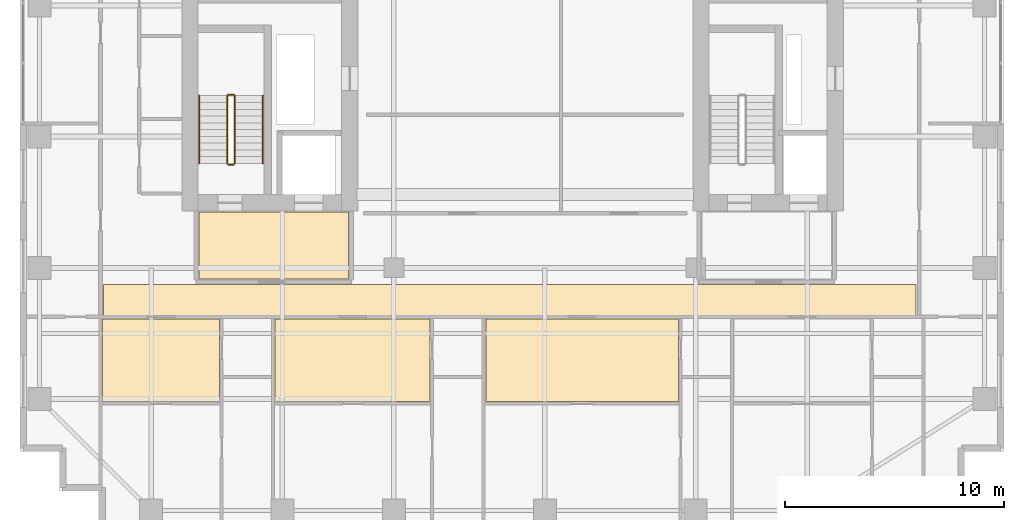
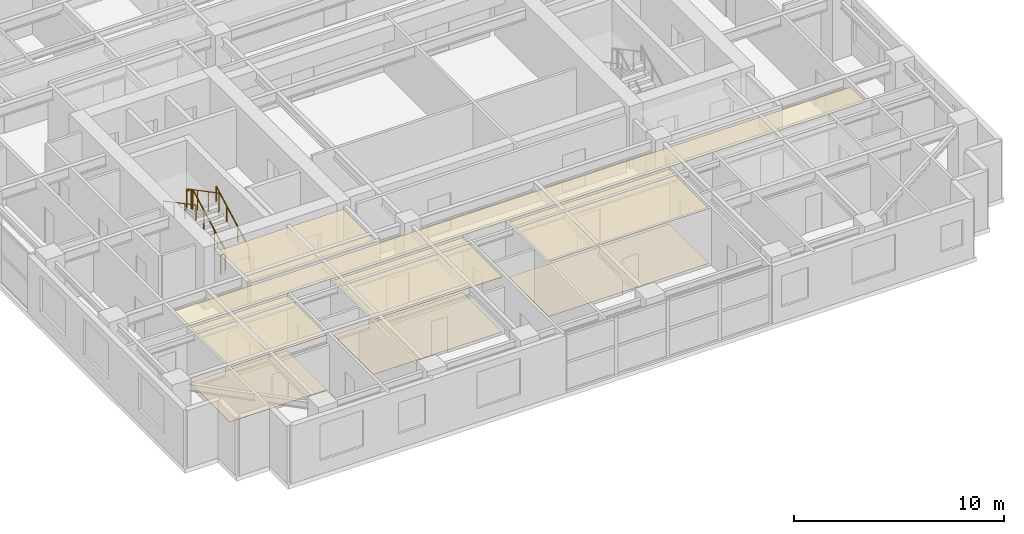
# One storey, part 17 of 20: 8 coverings, 6 railings.
"""IFC4 building model written with IfcOpenShell, lengths in metres."""

from ifc_helpers import new_model, si_unit, direction, frame, origin, origin_2d, place, context, subcontext, project, spatial, polyline, circle, outline, extrude, material, layer, layer_set, type_object, element, save


model = new_model("IFC4")

# Units and contexts
model_context = context("Model", 3, precision=1e-05, world=origin(), true_north=direction((0.0, 1.0)))
body_context = subcontext(model_context, "Body", "Model", "MODEL_VIEW")
ifc_project = project(units=[si_unit("LENGTHUNIT", "METRE"), si_unit("AREAUNIT", "SQUARE_METRE"), si_unit("VOLUMEUNIT", "CUBIC_METRE"), si_unit("PLANEANGLEUNIT", "RADIAN"), si_unit("MASSUNIT", "GRAM", prefix="KILO")], contexts=[model_context])

# Site, building, storey
site_placement = place(None, origin())
site = spatial("IfcSite", under=ifc_project, at=site_placement, CompositionType="ELEMENT")
building_placement = place(site_placement, origin())
building = spatial("IfcBuilding", under=site, at=building_placement, Name="Khoralis Quay Care Tower", CompositionType="ELEMENT")
storey_placement = place(building_placement, frame((0.0, 0.0, 116.10009765625)))
storey = spatial("IfcBuildingStorey", under=building, at=storey_placement, Name="L30", CompositionType="ELEMENT", Elevation=116.10009765625)

# Coverings
ifc_material_1 = material(Name="Mineral-fibre acoustic ceiling tile")
ifc_layer_1 = layer(ifc_material_1, 0.01806640625)
ifc_layer_set_1 = layer_set([ifc_layer_1], Name="Mineral-fibre acoustic ceiling tile")
covering_type_1 = type_object("IfcCoveringType", Name="COV-CEIL-AC18", PredefinedType="CEILING", material=ifc_layer_set_1)
covering_1_placement = place(storey_placement, frame((0.0, 0.0, 3.19189453125)))
element("IfcCovering", 1, at=covering_1_placement, inside=storey, type_object=covering_type_1, Name="Suspended Acoustic Ceiling SP-L30-FFLOB-W", PredefinedType="CEILING", context=body_context, shape_type="SweptSolid", body=[
    extrude(outline(polyline([(8.179931640625, 11.47998046875), (15.02001953125, 11.47998046875), (15.02001953125, 14.550048828125), (8.179931640625, 14.550048828125), (8.179931640625, 11.47998046875)])), origin(), (0.0, 0.0, 1.0), 0.01806640625),
])
covering_2_placement = place(storey_placement, frame((0.0, 0.0, 3.19189453125)))
element("IfcCovering", 2, at=covering_2_placement, inside=storey, type_object=covering_type_1, Name="Suspended Acoustic Ceiling SP-L30-CORR-S", PredefinedType="CEILING", context=body_context, shape_type="SweptSolid", body=[
    extrude(outline(polyline([(3.820068359375, 9.800048828125), (40.97998046875, 9.800048828125), (40.97998046875, 11.239990234375), (3.820068359375, 11.239990234375), (3.820068359375, 9.800048828125)])), origin(), (0.0, 0.0, 1.0), 0.01806640625),
])
covering_3_placement = place(storey_placement, frame((0.0, 0.0, 3.19189453125)))
element("IfcCovering", 3, at=covering_3_placement, inside=storey, type_object=covering_type_1, Name="Suspended Acoustic Ceiling SP-L30-SB-CARE0", PredefinedType="CEILING", context=body_context, shape_type="SweptSolid", body=[
    extrude(outline(polyline([(3.780029296875, 5.889892578125), (9.1201171875, 5.889892578125), (9.1201171875, 9.659912109375), (3.780029296875, 9.659912109375), (3.780029296875, 5.889892578125)])), origin(), (0.0, 0.0, 1.0), 0.01806640625),
])
covering_4_placement = place(storey_placement, frame((0.0, 0.0, 3.19189453125)))
element("IfcCovering", 4, at=covering_4_placement, inside=storey, type_object=covering_type_1, Name="Suspended Acoustic Ceiling SP-L30-SB-CARE1", PredefinedType="CEILING", context=body_context, shape_type="SweptSolid", body=[
    extrude(outline(polyline([(11.669921875, 5.889892578125), (18.75, 5.889892578125), (18.75, 9.659912109375), (11.669921875, 9.659912109375), (11.669921875, 5.889892578125)])), origin(), (0.0, 0.0, 1.0), 0.01806640625),
])
covering_5_placement = place(storey_placement, frame((0.0, 0.0, 3.19189453125)))
element("IfcCovering", 5, at=covering_5_placement, inside=storey, type_object=covering_type_1, Name="Suspended Acoustic Ceiling SP-L30-SB-CARE2", PredefinedType="CEILING", context=body_context, shape_type="SweptSolid", body=[
    extrude(outline(polyline([(21.300048828125, 5.889892578125), (30.110107421875, 5.889892578125), (30.110107421875, 9.659912109375), (21.300048828125, 9.659912109375), (21.300048828125, 5.889892578125)])), origin(), (0.0, 0.0, 1.0), 0.01806640625),
])
ifc_material_2 = material(Name="Porcelain and non-slip vinyl flooring")
ifc_layer_2 = layer(ifc_material_2, 0.02001953125)
ifc_layer_set_2 = layer_set([ifc_layer_2], Name="Porcelain and non-slip vinyl flooring")
covering_type_2 = type_object("IfcCoveringType", Name="COV-FLOOR-20", PredefinedType="FLOORING", material=ifc_layer_set_2)
covering_6_placement = place(storey_placement, origin())
element("IfcCovering", 6, at=covering_6_placement, inside=storey, type_object=covering_type_2, Name="Resilient Healthcare Flooring SP-L30-SB-CARE0", PredefinedType="FLOORING", context=body_context, shape_type="SweptSolid", body=[
    extrude(outline(polyline([(3.780029296875, 5.889892578125), (9.1201171875, 5.889892578125), (9.1201171875, 9.659912109375), (3.780029296875, 9.659912109375), (3.780029296875, 5.889892578125)])), origin(), (0.0, 0.0, 1.0), 0.02001953125),
])
covering_7_placement = place(storey_placement, origin())
element("IfcCovering", 7, at=covering_7_placement, inside=storey, type_object=covering_type_2, Name="Resilient Healthcare Flooring SP-L30-SB-CARE1", PredefinedType="FLOORING", context=body_context, shape_type="SweptSolid", body=[
    extrude(outline(polyline([(11.669921875, 5.889892578125), (18.75, 5.889892578125), (18.75, 9.659912109375), (11.669921875, 9.659912109375), (11.669921875, 5.889892578125)])), origin(), (0.0, 0.0, 1.0), 0.02001953125),
])
covering_8_placement = place(storey_placement, origin())
element("IfcCovering", 8, at=covering_8_placement, inside=storey, type_object=covering_type_2, Name="Resilient Healthcare Flooring SP-L30-SB-CARE2", PredefinedType="FLOORING", context=body_context, shape_type="SweptSolid", body=[
    extrude(outline(polyline([(21.300048828125, 5.889892578125), (30.110107421875, 5.889892578125), (30.110107421875, 9.659912109375), (21.300048828125, 9.659912109375), (21.300048828125, 5.889892578125)])), origin(), (0.0, 0.0, 1.0), 0.02001953125),
])

# Railings
ifc_material_3 = material(Name="Brushed stainless steel", Category="steel")
railing_type_1 = type_object("IfcRailingType", Name="RL-GUARD-1150", PredefinedType="GUARDRAIL", material=ifc_material_3)
railing_1_placement = place(storey_placement, frame((9.820068359375, 16.77001953125, 0.16357421875)))
element("IfcRailing", 9, at=railing_1_placement, inside=storey, type_object=railing_type_1, Name="L30 ST-T1 stair guard 1", PredefinedType="GUARDRAIL", context=body_context, shape_type="SweptSolid", body=[
    extrude(circle(Radius=0.02392578125, at=origin_2d()), frame((0.0, 0.0, 1.1259765625), z_axis=(0.0, 0.884376766648, 0.46677375099), x_axis=(-1.0, 0.0, 0.0)), (0.0, 0.0, 1.0), 3.50537109375),
    extrude(circle(Radius=0.02099609375, at=origin_2d()), origin(), (0.0, 0.0, 1.0), 1.101806640625),
    extrude(circle(Radius=0.02099609375, at=origin_2d()), frame((0.0, 1.033447265625, 0.54541015625)), (0.0, 0.0, 1.0), 1.101806640625),
    extrude(circle(Radius=0.02099609375, at=origin_2d()), frame((0.0, 2.066650390625, 1.0908203125)), (0.0, 0.0, 1.0), 1.101806640625),
    extrude(circle(Radius=0.02099609375, at=origin_2d()), frame((0.0, 3.10009765625, 1.63623046875)), (0.0, 0.0, 1.0), 1.101806640625),
])
railing_2_placement = place(storey_placement, frame((9.77001953125, 19.919921875, 1.7998046875)))
element("IfcRailing", 10, at=railing_2_placement, inside=storey, type_object=railing_type_1, Name="L30 ST-T1 stair guard 2", PredefinedType="GUARDRAIL", context=body_context, shape_type="SweptSolid", body=[
    extrude(circle(Radius=0.02392578125, at=origin_2d()), frame((0.0, 0.0, 1.1259765625), z_axis=(-1.0, 0.0, 0.0), x_axis=(0.0, -1.0, 0.0)), (0.0, 0.0, 1.0), 0.239990234375),
    extrude(circle(Radius=0.02099609375, at=origin_2d()), origin(), (0.0, 0.0, 1.0), 1.101806640625),
    extrude(circle(Radius=0.02099609375, at=origin_2d()), frame((-0.239990234375, 0.0, 0.0)), (0.0, 0.0, 1.0), 1.101806640625),
])
railing_3_placement = place(storey_placement, frame((9.47998046875, 19.8701171875, 1.963623046875)))
element("IfcRailing", 11, at=railing_3_placement, inside=storey, type_object=railing_type_1, Name="L30 ST-T1 stair guard 3", PredefinedType="GUARDRAIL", context=body_context, shape_type="SweptSolid", body=[
    extrude(circle(Radius=0.02392578125, at=origin_2d()), frame((0.0, 0.0, 1.1259765625), z_axis=(0.0, -0.884376766648, 0.46677375099), x_axis=(1.0, 0.0, 0.0)), (0.0, 0.0, 1.0), 3.50537109375),
    extrude(circle(Radius=0.02099609375, at=origin_2d()), origin(), (0.0, 0.0, 1.0), 1.101806640625),
    extrude(circle(Radius=0.02099609375, at=origin_2d()), frame((0.0, -1.033447265625, 0.54541015625)), (0.0, 0.0, 1.0), 1.101806640625),
    extrude(circle(Radius=0.02099609375, at=origin_2d()), frame((0.0, -2.066650390625, 1.0908203125)), (0.0, 0.0, 1.0), 1.101806640625),
    extrude(circle(Radius=0.02099609375, at=origin_2d()), frame((0.0, -3.10009765625, 1.63623046875)), (0.0, 0.0, 1.0), 1.101806640625),
])
railing_4_placement = place(storey_placement, frame((9.77001953125, 16.719970703125, 0.0)))
element("IfcRailing", 12, at=railing_4_placement, inside=storey, type_object=railing_type_1, Name="L30 ST-T1 stair guard 4", PredefinedType="GUARDRAIL", context=body_context, shape_type="SweptSolid", body=[
    extrude(circle(Radius=0.02392578125, at=origin_2d()), frame((0.0, 0.0, 1.1259765625), z_axis=(-1.0, 0.0, 0.0), x_axis=(0.0, -1.0, 0.0)), (0.0, 0.0, 1.0), 0.239990234375),
    extrude(circle(Radius=0.02099609375, at=origin_2d()), origin(), (0.0, 0.0, 1.0), 1.101806640625),
    extrude(circle(Radius=0.02099609375, at=origin_2d()), frame((-0.239990234375, 0.0, 0.0)), (0.0, 0.0, 1.0), 1.101806640625),
])
railing_type_2 = type_object("IfcRailingType", Name="RL-HAND-900", PredefinedType="HANDRAIL", material=ifc_material_3)
railing_5_placement = place(storey_placement, frame((11.10009765625, 16.77001953125, 0.16357421875)))
element("IfcRailing", 13, at=railing_5_placement, inside=storey, type_object=railing_type_2, Name="L30 ST-T1 stair handrail 1", PredefinedType="HANDRAIL", context=body_context, shape_type="SweptSolid", body=[
    extrude(circle(Radius=0.02392578125, at=origin_2d()), frame((0.0, 0.0, 0.8759765625), z_axis=(0.0, 0.884376766648, 0.46677375099), x_axis=(-1.0, 0.0, 0.0)), (0.0, 0.0, 1.0), 3.50537109375),
    extrude(circle(Radius=0.02099609375, at=origin_2d()), origin(), (0.0, 0.0, 1.0), 0.851806640625),
    extrude(circle(Radius=0.02099609375, at=origin_2d()), frame((0.0, 1.033447265625, 0.54541015625)), (0.0, 0.0, 1.0), 0.851806640625),
    extrude(circle(Radius=0.02099609375, at=origin_2d()), frame((0.0, 2.066650390625, 1.0908203125)), (0.0, 0.0, 1.0), 0.851806640625),
    extrude(circle(Radius=0.02099609375, at=origin_2d()), frame((0.0, 3.10009765625, 1.63623046875)), (0.0, 0.0, 1.0), 0.851806640625),
])
railing_6_placement = place(storey_placement, frame((8.199951171875, 19.8701171875, 1.963623046875)))
element("IfcRailing", 14, at=railing_6_placement, inside=storey, type_object=railing_type_2, Name="L30 ST-T1 stair handrail 2", PredefinedType="HANDRAIL", context=body_context, shape_type="SweptSolid", body=[
    extrude(circle(Radius=0.02392578125, at=origin_2d()), frame((0.0, 0.0, 0.8759765625), z_axis=(0.0, -0.884376766648, 0.46677375099), x_axis=(1.0, 0.0, 0.0)), (0.0, 0.0, 1.0), 3.50537109375),
    extrude(circle(Radius=0.02099609375, at=origin_2d()), origin(), (0.0, 0.0, 1.0), 0.851806640625),
    extrude(circle(Radius=0.02099609375, at=origin_2d()), frame((0.0, -1.033447265625, 0.54541015625)), (0.0, 0.0, 1.0), 0.851806640625),
    extrude(circle(Radius=0.02099609375, at=origin_2d()), frame((0.0, -2.066650390625, 1.0908203125)), (0.0, 0.0, 1.0), 0.851806640625),
    extrude(circle(Radius=0.02099609375, at=origin_2d()), frame((0.0, -3.10009765625, 1.63623046875)), (0.0, 0.0, 1.0), 0.851806640625),
])

save(model, "model.ifc")
